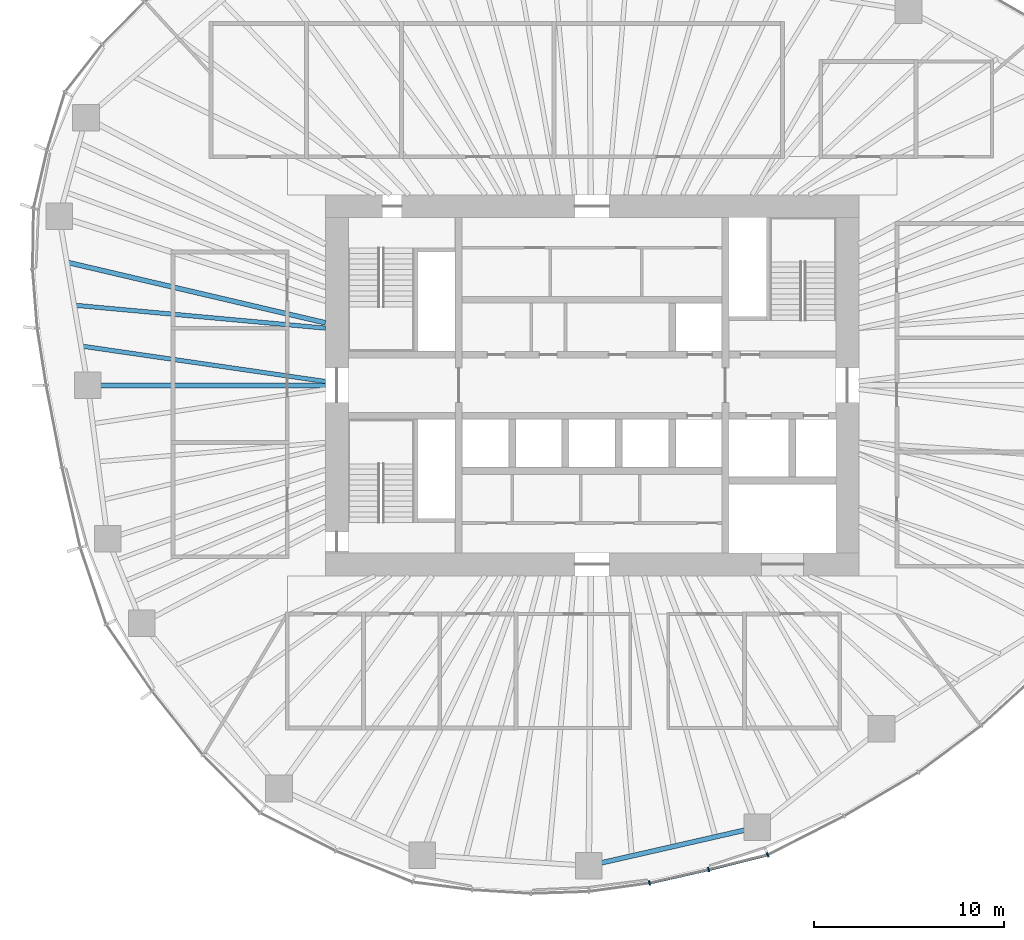
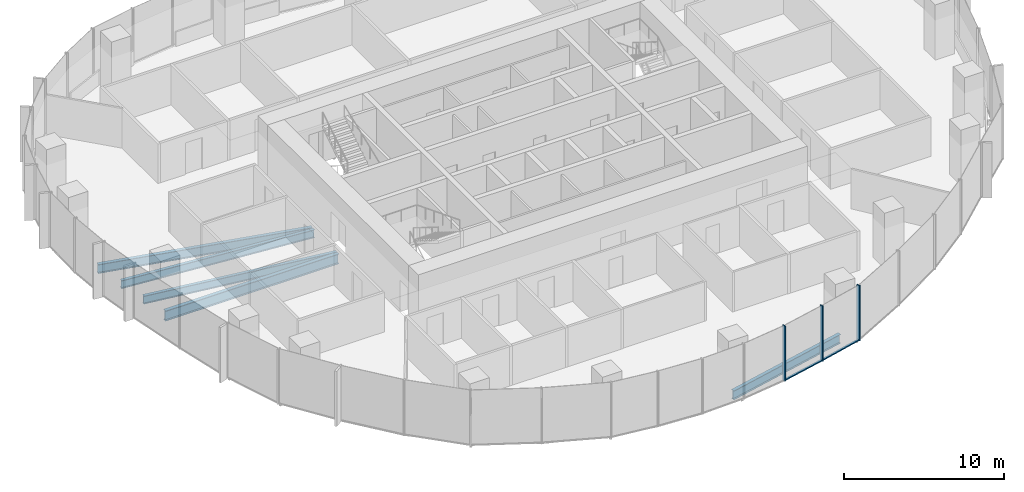
# One storey, part 3 of 18: 5 beams, 5 members, 2 elements without a shape of their own.
"""IFC4 building model written with IfcOpenShell, lengths in metres."""

import ifcopenshell
import ifcopenshell.guid

model = None  # the IFC model being written
_history = None  # IfcOwnerHistory: only IFC2X3 demands one
_inside = {}  # id of a spatial element -> (the spatial element, [elements in it])
_under = {}  # id of a project, library or spatial element -> (it, [spatial elements below it])
_declared = {}  # id of a project -> (the project, [libraries it declares])
_typed = {}  # id of a type object -> (the type object, [elements of that type])
_made_of = {}  # id of a material, layer set ... -> (it, [elements and type objects made of it])


def new_model(schema):
    """Start an empty IFC model of exactly this schema.

    Asked for "IFC4X3", IfcOpenShell would pick the latest addendum, in which some entities
    have other attributes; the version numbers below select the first issue.
    IFC2X3 requires an IfcOwnerHistory on every rooted entity: one is made here for all.
    """
    global model, _history
    if schema == "IFC4X3":
        model = ifcopenshell.file(schema_version=(4, 3, 0, 0))
    else:
        model = ifcopenshell.file(schema=schema)
    _inside.clear()
    _under.clear()
    _declared.clear()
    _typed.clear()
    _made_of.clear()
    _history = None
    if model.schema == "IFC2X3":
        org = make("IfcOrganization", Name="unknown")
        user = make(
            "IfcPersonAndOrganization",
            ThePerson=make("IfcPerson", FamilyName="unknown"),
            TheOrganization=org,
        )
        app = make(
            "IfcApplication",
            ApplicationDeveloper=org,
            Version="unknown",
            ApplicationFullName="unknown",
            ApplicationIdentifier="unknown",
        )
        _history = make(
            "IfcOwnerHistory",
            OwningUser=user,
            OwningApplication=app,
            ChangeAction="ADDED",
            CreationDate=0,
        )
    return model


def make(cls, **values):
    """One entity of the class cls with the attributes given. An attribute that is None is left unset."""
    return model.create_entity(
        cls, **{name: value for name, value in values.items() if value is not None}
    )


def rooted(cls, **values):
    """An entity with a GlobalId (a new one), such as an element, a storey or a relation."""
    return make(cls, GlobalId=ifcopenshell.guid.new(), OwnerHistory=_history, **values)


def si_unit(unit_type, name, prefix=None):
    """IfcSIUnit, for example si_unit("LENGTHUNIT", "METRE", prefix="MILLI")."""
    return make("IfcSIUnit", UnitType=unit_type, Prefix=prefix, Name=name)


def assignment(units):
    """IfcUnitAssignment: the units of a project."""
    return None if units is None else make("IfcUnitAssignment", Units=units)


def point(xyz):
    """IfcCartesianPoint."""
    return None if xyz is None else make("IfcCartesianPoint", Coordinates=xyz)


def direction(xyz):
    """IfcDirection."""
    return None if xyz is None else make("IfcDirection", DirectionRatios=xyz)


def frame(location, z_axis=None, x_axis=None):
    """IfcAxis2Placement3D, a coordinate frame: its origin and axes. An axis left out is left unset."""
    return make(
        "IfcAxis2Placement3D",
        Location=point(location),
        Axis=direction(z_axis),
        RefDirection=direction(x_axis),
    )


def frame_2d(location, x_axis=None):
    """IfcAxis2Placement2D, a coordinate frame in the plane: its origin and x axis."""
    return make(
        "IfcAxis2Placement2D", Location=point(location), RefDirection=direction(x_axis)
    )


def origin():
    """The frame at (0, 0, 0) with its axes left unset."""
    return frame((0.0, 0.0, 0.0))


def origin_2d():
    """The frame at (0, 0) in the plane with its x axis left unset."""
    return frame_2d((0.0, 0.0))


def place(relative_to, where):
    """IfcLocalPlacement: puts the frame where relative to a parent placement (None: the world)."""
    return make(
        "IfcLocalPlacement", PlacementRelTo=relative_to, RelativePlacement=where
    )


def context(
    kind, dimensions, precision=None, world=None, true_north=None, identifier=None
):
    """IfcGeometricRepresentationContext, for example the 3D "Model" context."""
    return make(
        "IfcGeometricRepresentationContext",
        ContextIdentifier=identifier,
        ContextType=kind,
        CoordinateSpaceDimension=dimensions,
        Precision=precision,
        WorldCoordinateSystem=world,
        TrueNorth=true_north,
    )


def subcontext(parent, identifier, kind, view, scale=None):
    """IfcGeometricRepresentationSubContext, for example "Body" below "Model"."""
    return make(
        "IfcGeometricRepresentationSubContext",
        ContextIdentifier=identifier,
        ContextType=kind,
        ParentContext=parent,
        TargetScale=scale,
        TargetView=view,
    )


def project(units=None, contexts=None):
    """IfcProject with its units and contexts."""
    return rooted(
        "IfcProject",
        Name="project",
        RepresentationContexts=contexts,
        UnitsInContext=assignment(units),
    )


def spatial(cls, under=None, at=None, **own):
    """A site, building, storey or space (cls), placed at a placement, below another one or the project."""
    s = rooted(cls, ObjectPlacement=at, **own)
    if under is not None:
        _under.setdefault(under.id(), (under, []))[1].append(s)
    return s


def profile(cls, at=None, kind="AREA", **sizes):
    """A parametric profile (cls). Its sizes go by their IFC names, for example OverallWidth=200.0."""
    return make(cls, ProfileType=kind, Position=at, **sizes)


def rectangle(**sizes):
    """IfcRectangleProfileDef."""
    return profile("IfcRectangleProfileDef", **sizes)


def i_section(**sizes):
    """IfcIShapeProfileDef."""
    return profile("IfcIShapeProfileDef", **sizes)


def extrude(swept, where, along, depth):
    """IfcExtrudedAreaSolid: the profile swept, set in the frame where, extruded along a direction by depth."""
    return make(
        "IfcExtrudedAreaSolid",
        SweptArea=swept,
        Position=where,
        ExtrudedDirection=direction(along),
        Depth=depth,
    )


def shape(context_of_items, identifier, shape_type, items):
    """IfcShapeRepresentation: the items that make up one representation, for example the "Body"."""
    return make(
        "IfcShapeRepresentation",
        ContextOfItems=context_of_items,
        RepresentationIdentifier=identifier,
        RepresentationType=shape_type,
        Items=items,
    )


def material(Name=None, Category=None):
    """IfcMaterial."""
    return make("IfcMaterial", Name=Name, Category=Category)


def material_profile(
    of_material, cross_section, Name=None, Category=None, Priority=None
):
    """IfcMaterialProfile: a cross section and its material."""
    return make(
        "IfcMaterialProfile",
        Name=Name,
        Material=of_material,
        Profile=cross_section,
        Priority=Priority,
        Category=Category,
    )


def profile_set(profiles, Name=None, composite=None):
    """IfcMaterialProfileSet."""
    return make(
        "IfcMaterialProfileSet",
        Name=Name,
        MaterialProfiles=profiles,
        CompositeProfile=composite,
    )


def made_of(thing, what):
    """Note that an element or type object is made of a material, layer set ...; save() writes the relation."""
    if what is not None:
        _made_of.setdefault(what.id(), (what, []))[1].append(thing)
    return thing


def type_object(cls, material=None, **own):
    """A type object (cls), such as IfcWallType, which elements share."""
    return made_of(rooted(cls, **own), material)


def element(
    cls,
    number,
    at=None,
    inside=None,
    cuts=None,
    type_object=None,
    material=None,
    context=None,
    identifier="Body",
    shape_type=None,
    held_by="IfcProductDefinitionShape",
    body=None,
    shapes=None,
    **own,
):
    """One element of the class cls, such as IfcWall. Its Tag is "e" and its number.

    at: its placement. inside: the storey or other place that contains it. cuts: it is an
    opening in that element (IfcRelVoidsElement). A single representation is given by context,
    identifier, shape_type and body (its items); several are given by shapes. held_by: the class
    of the entity that holds the representations. save() writes the other relations.
    """
    e = rooted(cls, Tag="e%d" % number, ObjectPlacement=at, **own)
    if body is not None:
        shapes = [shape(context, identifier, shape_type, body)]
    if shapes is not None:
        e.Representation = make(held_by, Representations=shapes)
    if inside is not None:
        _inside.setdefault(inside.id(), (inside, []))[1].append(e)
    if cuts is not None:
        rooted(
            "IfcRelVoidsElement", RelatingBuildingElement=cuts, RelatedOpeningElement=e
        )
    if type_object is not None:
        _typed.setdefault(type_object.id(), (type_object, []))[1].append(e)
    return made_of(e, material)


def aggregate(whole, parts):
    """IfcRelAggregates: a whole, such as a stair, and the parts it consists of."""
    return rooted("IfcRelAggregates", RelatingObject=whole, RelatedObjects=parts)


def save(model, path):
    """Write the relations noted so far, then the file.

    IfcRelAggregates (storeys below a building ...), IfcRelContainedInSpatialStructure (elements
    in a storey), IfcRelDefinesByType, IfcRelAssociatesMaterial and IfcRelDeclares: one each for
    every whole, place, type object, material and project.
    """
    for whole, parts in _under.values():
        aggregate(whole, parts)
    for where, things in _inside.values():
        rooted(
            "IfcRelContainedInSpatialStructure",
            RelatedElements=things,
            RelatingStructure=where,
        )
    for kind, things in _typed.values():
        rooted("IfcRelDefinesByType", RelatedObjects=things, RelatingType=kind)
    for what, things in _made_of.values():
        rooted("IfcRelAssociatesMaterial", RelatedObjects=things, RelatingMaterial=what)
    for by, libraries in _declared.values():
        rooted("IfcRelDeclares", RelatingContext=by, RelatedDefinitions=libraries)
    model.write(path)


model = new_model("IFC4")

# Units and contexts
model_context = context("Model", 3, precision=1e-05, world=origin(), true_north=direction((0.0, 1.0)))
body_context = subcontext(model_context, "Body", "Model", "MODEL_VIEW")
ifc_project = project(units=[si_unit("LENGTHUNIT", "METRE"), si_unit("AREAUNIT", "SQUARE_METRE"), si_unit("VOLUMEUNIT", "CUBIC_METRE"), si_unit("PLANEANGLEUNIT", "RADIAN"), si_unit("MASSUNIT", "GRAM", prefix="KILO")], contexts=[model_context])

# Site, building, storey
site_placement = place(None, origin())
site = spatial("IfcSite", under=ifc_project, at=site_placement, CompositionType="ELEMENT")
building_placement = place(site_placement, origin())
building = spatial("IfcBuilding", under=site, at=building_placement, Name="Ghaith Harvest Tower", CompositionType="ELEMENT")
storey_placement = place(building_placement, frame((0.0, 0.0, 180.60009765625)))
storey = spatial("IfcBuildingStorey", under=building, at=storey_placement, Name="L39", CompositionType="ELEMENT", Elevation=180.60009765625)

# Curtain wall, members
ifc_material_1 = material(Name="Black anodised aluminium and fritted glass", Category="aluminium")
curtain_wall_type = type_object("IfcCurtainWallType", Name="CW-L CURTAIN WALL", PredefinedType="NOTDEFINED", material=ifc_material_1)
curtain_wall_1_placement = place(storey_placement, origin())
curtain_wall_1 = element("IfcCurtainWall", 1, at=curtain_wall_1_placement, inside=storey, type_object=curtain_wall_type, Name="Curtain wall CW-L bay 16 L39", PredefinedType="NOTDEFINED")
ifc_material_2 = material(Name="Aluminium, black anodised", Category="aluminium")
ifc_material_profile_1 = material_profile(ifc_material_2, rectangle(XDim=0.080078125, YDim=0.239990234375, at=origin_2d()), Name="CW-L MULLION 80x240")
ifc_profile_set_1 = profile_set([ifc_material_profile_1], Name="Aluminium, black anodised")
member_type_1 = type_object("IfcMemberType", Name="CW-L MULLION 80x240", PredefinedType="MULLION", material=ifc_profile_set_1)
member_1_placement = place(storey_placement, frame((3.010009765625, -26.12939453125, 0.0), z_axis=(0.0, 0.0, 1.0), x_axis=(0.983806317978, 0.179234842337, 0.0)))
member_1 = element("IfcMember", 2, at=member_1_placement, type_object=member_type_1, Name="CW-L mullion 2 bay 16 L39", PredefinedType="MULLION", context=body_context, shape_type="SweptSolid", body=[
    extrude(rectangle(XDim=0.080078125, YDim=0.239990234375, at=origin_2d()), origin(), (0.0, 0.0, 1.0), 4.199951171875),
])
member_2_placement = place(storey_placement, frame((6.1201171875, -25.425537109375, 0.0), z_axis=(0.0, 0.0, 1.0), x_axis=(0.972918144681, 0.231149916179, 0.0)))
member_2 = element("IfcMember", 3, at=member_2_placement, type_object=member_type_1, Name="CW-L mullion 3 bay 16 L39", PredefinedType="MULLION", context=body_context, shape_type="SweptSolid", body=[
    extrude(rectangle(XDim=0.080078125, YDim=0.239990234375, at=origin_2d()), origin(), (0.0, 0.0, 1.0), 4.199951171875),
])

# Curtain wall, member
curtain_wall_2_placement = place(storey_placement, origin())
curtain_wall_2 = element("IfcCurtainWall", 4, at=curtain_wall_2_placement, inside=storey, type_object=curtain_wall_type, Name="Curtain wall CW-L bay 17 L39", PredefinedType="NOTDEFINED")
member_3_placement = place(storey_placement, frame((9.216796875, -24.654541015625, 0.0), z_axis=(0.0, 0.0, 1.0), x_axis=(0.929831847154, 0.367984695358, 0.0)))
member_3 = element("IfcMember", 5, at=member_3_placement, type_object=member_type_1, Name="CW-L mullion 1 bay 17 L39", PredefinedType="MULLION", context=body_context, shape_type="SweptSolid", body=[
    extrude(rectangle(XDim=0.080078125, YDim=0.239990234375, at=origin_2d()), origin(), (0.0, 0.0, 1.0), 4.199951171875),
])
aggregate(curtain_wall_2, [member_3])

# Member
ifc_material_3 = material(Name="Aluminium, black anodised", Category="aluminium")
ifc_material_profile_2 = material_profile(ifc_material_3, rectangle(XDim=0.14990234375, YDim=0.080078125, at=origin_2d()), Name="CW-L TRANSOM 150x80")
ifc_profile_set_2 = profile_set([ifc_material_profile_2], Name="Aluminium, black anodised")
member_type_2 = type_object("IfcMemberType", Name="CW-L TRANSOM 150x80", PredefinedType="USERDEFINED", material=ifc_profile_set_2)
member_4_placement = place(storey_placement, frame((3.048828125, -26.120361328125, 0.039794921875), z_axis=(0.975352213651, 0.22065370907, 0.0), x_axis=(-0.22065370907, 0.975352213651, 0.0)))
member_4 = element("IfcMember", 6, at=member_4_placement, type_object=member_type_2, Name="CW-L transom 2 bay 16 L39", ObjectType="TRANSOM", PredefinedType="USERDEFINED", context=body_context, shape_type="SweptSolid", body=[
    extrude(rectangle(XDim=0.14990234375, YDim=0.080078125, at=origin_2d()), origin(), (0.0, 0.0, 1.0), 3.109130859375),
])

member_5_placement = place(storey_placement, frame((6.158935546875, -25.415771484375, 0.039794921875), z_axis=(0.97039125345, 0.241538434265, 0.0), x_axis=(-0.241538434265, 0.97039125345, 0.0)))
member_5 = element("IfcMember", 7, at=member_5_placement, type_object=member_type_2, Name="CW-L transom 3 bay 16 L39", ObjectType="TRANSOM", PredefinedType="USERDEFINED", context=body_context, shape_type="SweptSolid", body=[
    extrude(rectangle(XDim=0.14990234375, YDim=0.080078125, at=origin_2d()), origin(), (0.0, 0.0, 1.0), 3.111083984375),
])

aggregate(curtain_wall_1, [member_1, member_4, member_2, member_5])

# Beams
ifc_material_4 = material(Name="Steel ASTM A992 Grade 50", Category="steel")
ifc_material_profile_3 = material_profile(ifc_material_4, i_section(OverallWidth=0.25390625, OverallDepth=0.68408203125, WebThickness=0.012451171875, FlangeThickness=0.018798828125, at=origin_2d()), Name="W690X140")
ifc_profile_set_3 = profile_set([ifc_material_profile_3], Name="Steel ASTM A992 Grade 50")
beam_type_1 = type_object("IfcBeamType", Name="E690-140 W690X140", PredefinedType="SPANDREL", material=ifc_profile_set_3)
beam_1_placement = place(storey_placement, frame((-0.173095703125, -25.22412109375, -0.51220703125), z_axis=(0.974881709383, 0.22272326486, 0.0), x_axis=(-0.22272326486, 0.974881709383, 0.0)))
element("IfcBeam", 8, at=beam_1_placement, inside=storey, type_object=beam_type_1, Name="Edge beam E16 L39", PredefinedType="SPANDREL", context=body_context, shape_type="SweptSolid", body=[
    extrude(i_section(OverallWidth=0.25390625, OverallDepth=0.68408203125, WebThickness=0.012451171875, FlangeThickness=0.018798828125, at=origin_2d()), origin(), (0.0, 0.0, 1.0), 9.0751953125),
])
ifc_material_5 = material(Name="Steel ASTM A992 Grade 50", Category="steel")
ifc_material_profile_4 = material_profile(ifc_material_5, i_section(OverallWidth=0.26806640625, OverallDepth=0.77001953125, WebThickness=0.015625, FlangeThickness=0.025390625, at=origin_2d()), Name="W760X196")
ifc_profile_set_4 = profile_set([ifc_material_profile_4], Name="Steel ASTM A992 Grade 50")
beam_type_2 = type_object("IfcBeamType", Name="G760-196 W760X196", PredefinedType="BEAM", material=ifc_profile_set_4)
beam_2_placement = place(storey_placement, frame((-14.0, 0.0, -0.55517578125), z_axis=(-1.0, 0.0, 0.0), x_axis=(0.0, -1.0, 0.0)))
element("IfcBeam", 9, at=beam_2_placement, inside=storey, type_object=beam_type_2, Name="Radial girder G11 L39", PredefinedType="BEAM", context=body_context, shape_type="SweptSolid", body=[
    extrude(i_section(OverallWidth=0.26806640625, OverallDepth=0.77001953125, WebThickness=0.015625, FlangeThickness=0.025390625, at=origin_2d()), origin(), (0.0, 0.0, 1.0), 12.47509765625),
])
ifc_material_6 = material(Name="Steel ASTM A992 Grade 50", Category="steel")
ifc_material_profile_5 = material_profile(ifc_material_6, i_section(OverallWidth=0.22900390625, OverallDepth=0.612060546875, WebThickness=0.011962890625, FlangeThickness=0.01953125, at=origin_2d()), Name="W610X125")
ifc_profile_set_5 = profile_set([ifc_material_profile_5], Name="Steel ASTM A992 Grade 50")
beam_type_3 = type_object("IfcBeamType", Name="J610-125 W610X125", PredefinedType="JOIST", material=ifc_profile_set_5)
beam_3_placement = place(storey_placement, frame((-14.0, 3.0, -0.47607421875), z_axis=(-0.995849123151, 0.091019360137, 0.0), x_axis=(-0.091019360137, -0.995849123151, 0.0)))
element("IfcBeam", 10, at=beam_3_placement, inside=storey, type_object=beam_type_3, Name="Joist J10.2 L39", PredefinedType="JOIST", context=body_context, shape_type="SweptSolid", body=[
    extrude(i_section(OverallWidth=0.22900390625, OverallDepth=0.612060546875, WebThickness=0.011962890625, FlangeThickness=0.01953125, at=origin_2d()), origin(), (0.0, 0.0, 1.0), 13.2451171875),
])
beam_4_placement = place(storey_placement, frame((-14.0, 0.199951171875, -0.47607421875), z_axis=(-0.989622120656, 0.143694322465, 0.0), x_axis=(-0.143694322465, -0.989622120656, 0.0)))
element("IfcBeam", 11, at=beam_4_placement, inside=storey, type_object=beam_type_3, Name="Joist J10.3 L39", PredefinedType="JOIST", context=body_context, shape_type="SweptSolid", body=[
    extrude(i_section(OverallWidth=0.22900390625, OverallDepth=0.612060546875, WebThickness=0.011962890625, FlangeThickness=0.01953125, at=origin_2d()), origin(), (0.0, 0.0, 1.0), 12.960205078125),
])
ifc_material_7 = material(Name="Steel ASTM A992 Grade 50", Category="steel")
ifc_material_profile_6 = material_profile(ifc_material_7, i_section(OverallWidth=0.25390625, OverallDepth=0.68408203125, WebThickness=0.012451171875, FlangeThickness=0.018798828125, at=origin_2d()), Name="W690X140")
ifc_profile_set_6 = profile_set([ifc_material_profile_6], Name="Steel ASTM A992 Grade 50")
beam_type_4 = type_object("IfcBeamType", Name="J690-140 W690X140", PredefinedType="JOIST", material=ifc_profile_set_6)
beam_5_placement = place(storey_placement, frame((-14.0, 3.280517578125, -0.51220703125), z_axis=(-0.973623240284, 0.228161753978, 0.0), x_axis=(-0.228161753978, -0.973623240284, 0.0)))
element("IfcBeam", 12, at=beam_5_placement, inside=storey, type_object=beam_type_4, Name="Joist J10.1 L39", PredefinedType="JOIST", context=body_context, shape_type="SweptSolid", body=[
    extrude(i_section(OverallWidth=0.25390625, OverallDepth=0.68408203125, WebThickness=0.012451171875, FlangeThickness=0.018798828125, at=origin_2d()), origin(), (0.0, 0.0, 1.0), 13.94140625),
])

save(model, "model.ifc")
